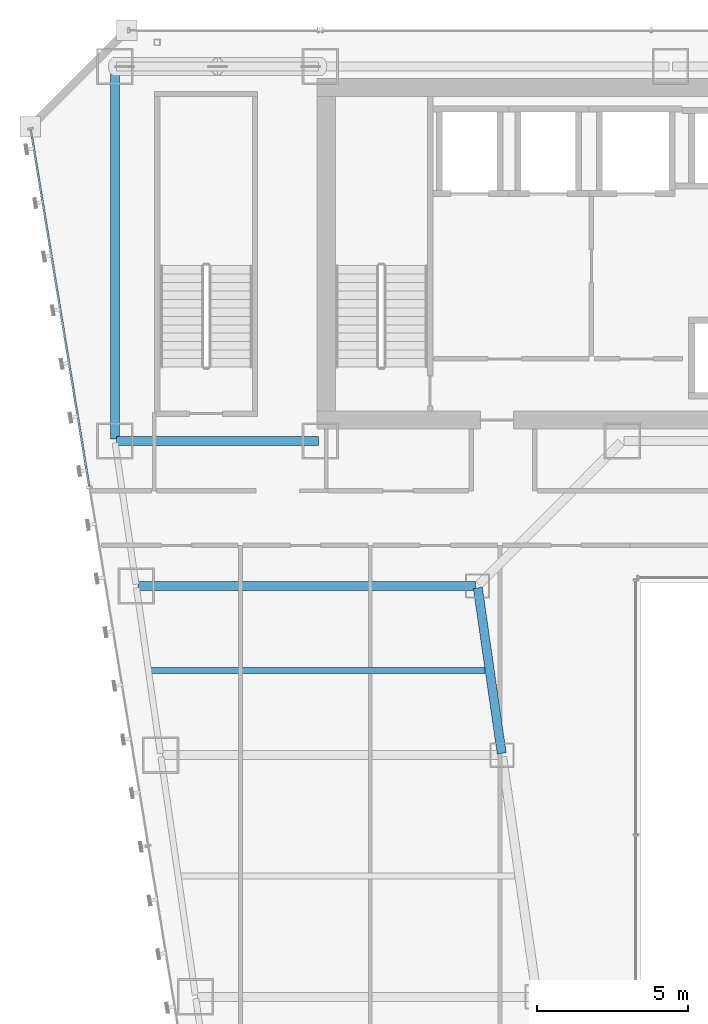
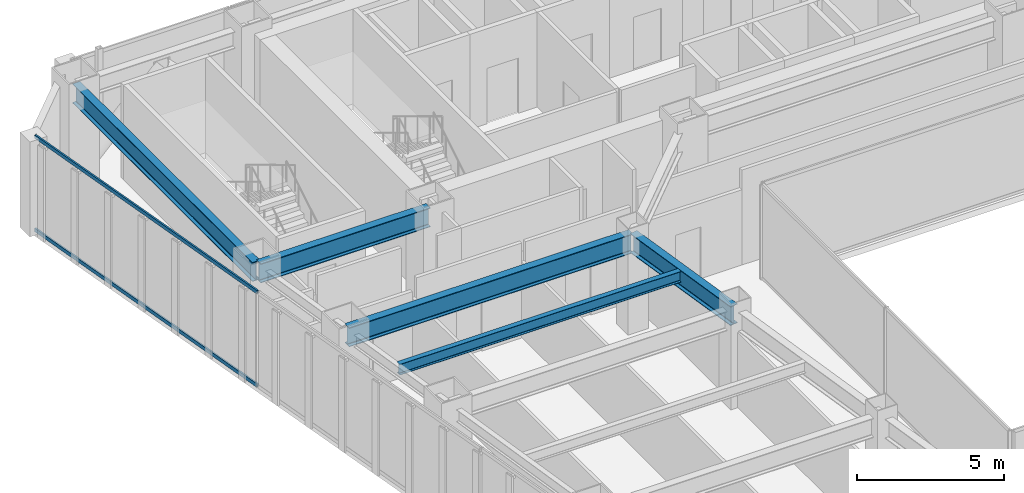
# One storey, part 23 of 47: 5 beams, 2 members, 1 element without a shape of its own.
"""IFC4 building model written with IfcOpenShell, lengths in metres."""

from ifc_helpers import new_model, si_unit, direction, frame, origin, origin_2d, place, context, subcontext, project, spatial, hollow_rectangle, i_section, extrude, material, material_profile, profile_set, type_object, element, aggregate, save


model = new_model("IFC4")

# Units and contexts
model_context = context("Model", 3, precision=1e-05, world=origin(), true_north=direction((0.0, 1.0)))
body_context = subcontext(model_context, "Body", "Model", "MODEL_VIEW")
ifc_project = project(units=[si_unit("LENGTHUNIT", "METRE"), si_unit("AREAUNIT", "SQUARE_METRE"), si_unit("VOLUMEUNIT", "CUBIC_METRE"), si_unit("PLANEANGLEUNIT", "RADIAN"), si_unit("MASSUNIT", "GRAM", prefix="KILO")], contexts=[model_context])

# Site, building, storey
site_placement = place(None, origin())
site = spatial("IfcSite", under=ifc_project, at=site_placement, CompositionType="ELEMENT")
building_placement = place(site_placement, origin())
building = spatial("IfcBuilding", under=site, at=building_placement, Name="Saevonmaru Cultural Tower", CompositionType="ELEMENT")
storey_placement = place(building_placement, frame((0.0, 0.0, 82.39990234375)))
storey = spatial("IfcBuildingStorey", under=building, at=storey_placement, Name="L17", CompositionType="ELEMENT", Elevation=82.39990234375)

# Beams
ifc_material_1 = material(Name="Steel SM420", Category="steel")
ifc_material_profile_1 = material_profile(ifc_material_1, i_section(OverallWidth=0.300048828125, OverallDepth=0.800048828125, WebThickness=0.013916015625, FlangeThickness=0.02587890625, FilletRadius=0.028076171875, at=origin_2d()), Name="H-800x300x14x26")
ifc_profile_set_1 = profile_set([ifc_material_profile_1], Name="Steel SM420")
beam_type_1 = type_object("IfcBeamType", Name="BM-G-H800", PredefinedType="BEAM", material=ifc_profile_set_1)
beam_1_placement = place(storey_placement, frame((6.860107421875, 42.39990234375, 3.550048828125), z_axis=(1.0, 0.0, 0.0), x_axis=(0.0, 1.0, 0.0)))
element("IfcBeam", 1, at=beam_1_placement, inside=storey, type_object=beam_type_1, Name="L17 Core South Girder 1", PredefinedType="BEAM", context=body_context, shape_type="SweptSolid", body=[
    extrude(i_section(OverallWidth=0.300048828125, OverallDepth=0.800048828125, WebThickness=0.013916015625, FlangeThickness=0.02587890625, FilletRadius=0.028076171875, at=origin_2d()), origin(), (0.0, 0.0, 1.0), 6.679931640625),
])
beam_2_placement = place(storey_placement, frame((6.800048828125, 54.739990234375, 3.550048828125), z_axis=(0.0, -1.0, 0.0), x_axis=(1.0, 0.0, 0.0)))
element("IfcBeam", 2, at=beam_2_placement, inside=storey, type_object=beam_type_1, Name="L17 Spine Transverse Girder W", PredefinedType="BEAM", context=body_context, shape_type="SweptSolid", body=[
    extrude(i_section(OverallWidth=0.300048828125, OverallDepth=0.800048828125, WebThickness=0.013916015625, FlangeThickness=0.02587890625, FilletRadius=0.028076171875, at=origin_2d()), origin(), (0.0, 0.0, 1.0), 12.280029296875),
])
beam_3_placement = place(storey_placement, frame((19.6083984375, 32.059326171875, 3.550048828125), z_axis=(-0.142964121327, 0.989727871697, 0.0), x_axis=(-0.989727871697, -0.142964121327, 0.0)))
element("IfcBeam", 3, at=beam_3_placement, inside=storey, type_object=beam_type_1, Name="L17 West Atrium Girder 5", PredefinedType="BEAM", context=body_context, shape_type="SweptSolid", body=[
    extrude(i_section(OverallWidth=0.300048828125, OverallDepth=0.800048828125, WebThickness=0.013916015625, FlangeThickness=0.02587890625, FilletRadius=0.028076171875, at=origin_2d()), origin(), (0.0, 0.0, 1.0), 5.5380859375),
])
beam_4_placement = place(storey_placement, frame((7.568115234375, 37.60009765625, 3.550048828125), z_axis=(1.0, 0.0, 0.0), x_axis=(0.0, 1.0, 0.0)))
element("IfcBeam", 4, at=beam_4_placement, inside=storey, type_object=beam_type_1, Name="L17 West Wing Transverse Girder 6", PredefinedType="BEAM", context=body_context, shape_type="SweptSolid", body=[
    extrude(i_section(OverallWidth=0.300048828125, OverallDepth=0.800048828125, WebThickness=0.013916015625, FlangeThickness=0.02587890625, FilletRadius=0.028076171875, at=origin_2d()), origin(), (0.0, 0.0, 1.0), 11.179931640625),
])
ifc_material_2 = material(Name="Steel SM355", Category="steel")
ifc_material_profile_2 = material_profile(ifc_material_2, i_section(OverallWidth=0.199951171875, OverallDepth=0.449951171875, WebThickness=0.009033203125, FlangeThickness=0.013916015625, FilletRadius=0.01806640625, at=origin_2d()), Name="H-450x200x9x14")
ifc_profile_set_2 = profile_set([ifc_material_profile_2], Name="Steel SM355")
beam_type_2 = type_object("IfcBeamType", Name="BM-J-H450", PredefinedType="JOIST", material=ifc_profile_set_2)
beam_5_placement = place(storey_placement, frame((7.972412109375, 34.800048828125, 3.72509765625), z_axis=(1.0, 0.0, 0.0), x_axis=(0.0, 1.0, 0.0)))
element("IfcBeam", 5, at=beam_5_placement, inside=storey, type_object=beam_type_2, Name="L17 West Wing Floor Joist 5", PredefinedType="JOIST", context=body_context, shape_type="SweptSolid", body=[
    extrude(i_section(OverallWidth=0.199951171875, OverallDepth=0.449951171875, WebThickness=0.009033203125, FlangeThickness=0.013916015625, FilletRadius=0.01806640625, at=origin_2d()), origin(), (0.0, 0.0, 1.0), 11.08203125),
])

# Curtain wall, members
ifc_material_3 = material(Name="Satin Bronze Anodised Aluminium", Category="aluminium")
curtain_wall_type = type_object("IfcCurtainWallType", Name="CW-TYP-A", PredefinedType="NOTDEFINED", material=ifc_material_3)
curtain_wall_placement = place(storey_placement, origin())
curtain_wall = element("IfcCurtainWall", 6, at=curtain_wall_placement, inside=storey, type_object=curtain_wall_type, Name="L17 Unitised Curtain Wall E12", PredefinedType="NOTDEFINED")
ifc_material_profile_3 = material_profile(ifc_material_3, hollow_rectangle(XDim=0.06494140625, YDim=0.14990234375, WallThickness=0.00390625, at=origin_2d()), Name="ALU-TRAN-150x65x4")
ifc_profile_set_3 = profile_set([ifc_material_profile_3], Name="Satin Bronze Anodised Aluminium")
member_type = type_object("IfcMemberType", Name="TR-CW-150x65", PredefinedType="USERDEFINED", material=ifc_profile_set_3)
member_1_placement = place(storey_placement, frame((4.014892578125, 52.708740234375, 0.03271484375), z_axis=(0.161724530373, -0.986835941925, 0.0), x_axis=(0.986835941925, 0.161724530373, 0.0)))
member_1 = element("IfcMember", 7, at=member_1_placement, type_object=member_type, Name="CW-TW-L17-E12 transom 1.1", ObjectType="TRANSOM", PredefinedType="USERDEFINED", context=body_context, shape_type="SweptSolid", body=[
    extrude(hollow_rectangle(XDim=0.06494140625, YDim=0.14990234375, WallThickness=0.00390625, at=origin_2d()), origin(), (0.0, 0.0, 1.0), 11.963623046875),
])
member_2_placement = place(storey_placement, frame((4.014892578125, 52.708740234375, 3.91748046875), z_axis=(0.161724530373, -0.986835941925, 0.0), x_axis=(0.986835941925, 0.161724530373, 0.0)))
member_2 = element("IfcMember", 8, at=member_2_placement, type_object=member_type, Name="CW-TW-L17-E12 transom 1.2", ObjectType="TRANSOM", PredefinedType="USERDEFINED", context=body_context, shape_type="SweptSolid", body=[
    extrude(hollow_rectangle(XDim=0.06494140625, YDim=0.14990234375, WallThickness=0.00390625, at=origin_2d()), origin(), (0.0, 0.0, 1.0), 11.963623046875),
])
aggregate(curtain_wall, [member_1, member_2])

save(model, "model.ifc")
